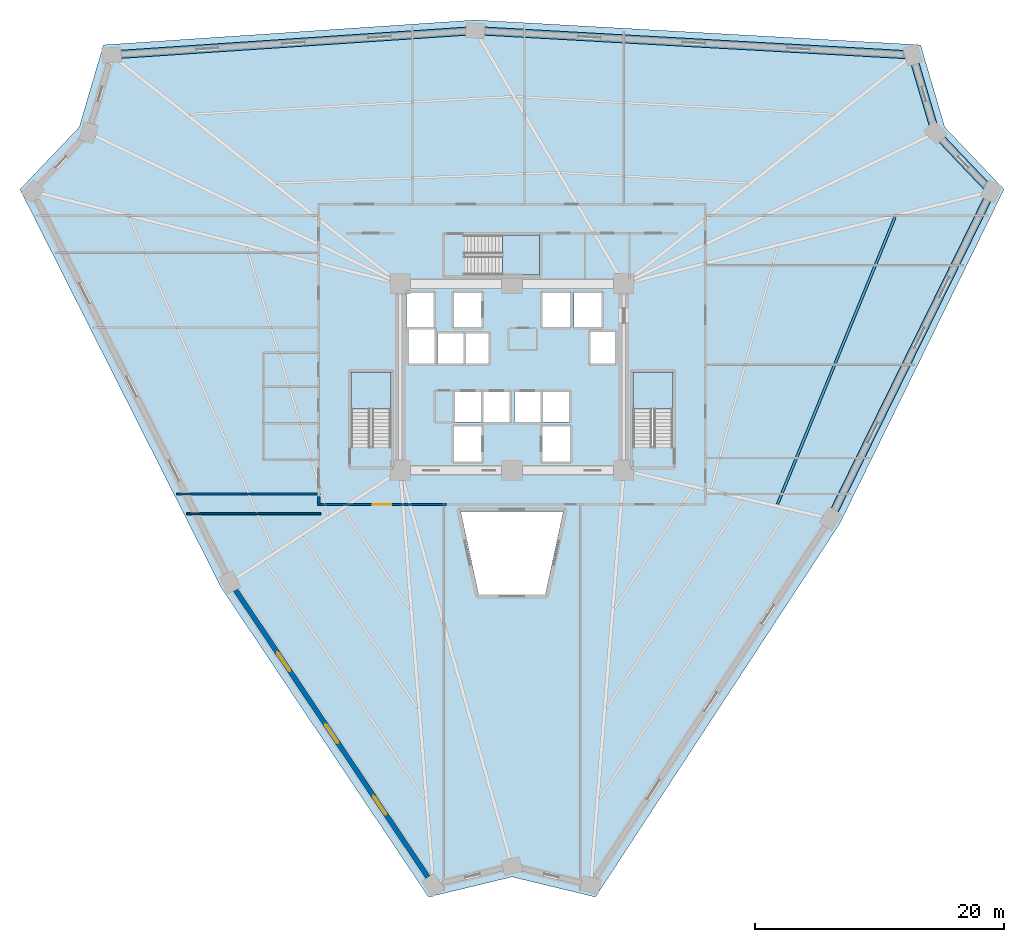
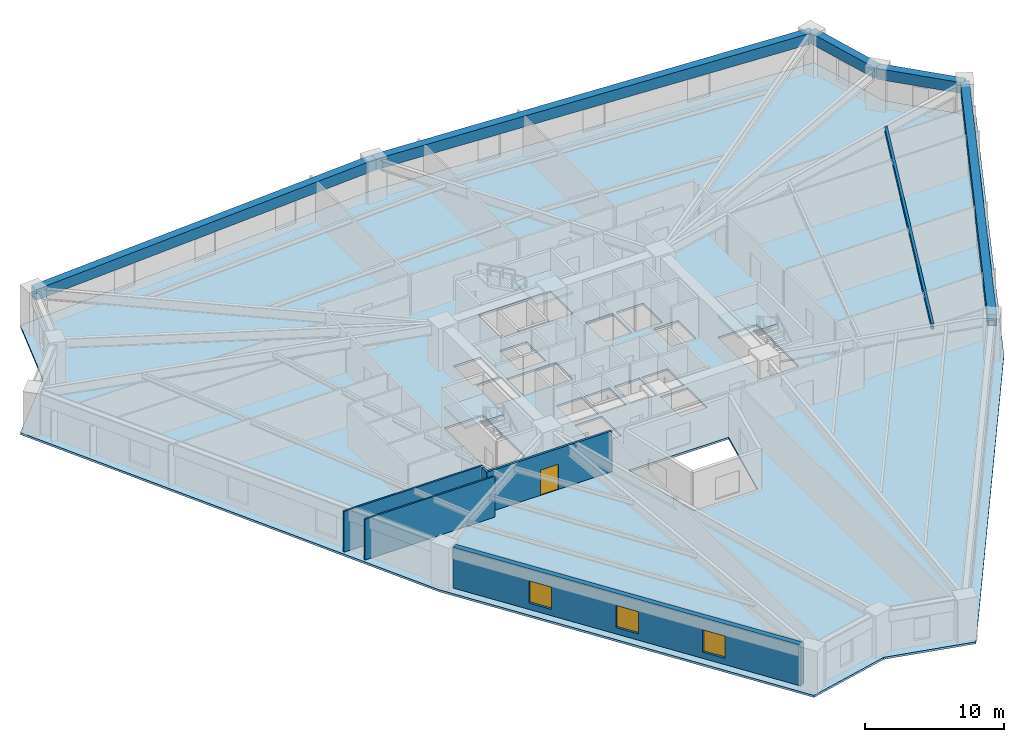
# One storey, part 2 of 9: 6 beams, 5 walls, 4 slabs, 3 windows, 1 door, 4 openings, 3 elements without a shape of their own.
"""IFC4 building model written with IfcOpenShell, lengths in metres."""

from ifc_helpers import new_model, si_unit, direction, frame, frame_2d, origin, origin_2d, place, context, subcontext, project, spatial, polyline, rectangle, i_section, outline, extrude, source, transform, mapped, material, layer, layer_set, material_profile, profile_set, type_object, element, fill, aggregate, save


model = new_model("IFC4")

# Units and contexts
model_context = context("Model", 3, precision=1e-05, world=origin(), true_north=direction((0.0, 1.0)))
body_context = subcontext(model_context, "Body", "Model", "MODEL_VIEW")
ifc_project = project(units=[si_unit("LENGTHUNIT", "METRE"), si_unit("AREAUNIT", "SQUARE_METRE"), si_unit("VOLUMEUNIT", "CUBIC_METRE"), si_unit("PLANEANGLEUNIT", "RADIAN"), si_unit("MASSUNIT", "GRAM", prefix="KILO")], contexts=[model_context])

# Site, building, storey
site_placement = place(None, origin())
site = spatial("IfcSite", under=ifc_project, at=site_placement, CompositionType="ELEMENT")
building_placement = place(site_placement, origin())
building = spatial("IfcBuilding", under=site, at=building_placement, Name="Liaohun Quay Tower", CompositionType="ELEMENT")
storey_placement = place(building_placement, frame((0.0, 0.0, 55.5)))
storey = spatial("IfcBuildingStorey", under=building, at=storey_placement, Name="L14", CompositionType="ELEMENT", Elevation=55.5)

# Beams
ifc_material_1 = material(Name="Steel Q355D", Category="steel")
ifc_material_profile_1 = material_profile(ifc_material_1, i_section(OverallWidth=0.199951171875, OverallDepth=0.449951171875, WebThickness=0.009033203125, FlangeThickness=0.013916015625, at=origin_2d()), Name="HN450x200x9x14")
ifc_profile_set_1 = profile_set([ifc_material_profile_1], Name="Steel Q355D")
beam_type_1 = type_object("IfcBeamType", Name="BM-SEC-J1", PredefinedType="JOIST", material=ifc_profile_set_1)
shared_shape_1 = source(origin(), body_context, "Body", "SweptSolid", [
    extrude(i_section(OverallWidth=0.199951171875, OverallDepth=0.449951171875, WebThickness=0.009033203125, FlangeThickness=0.013916015625, at=origin_2d()), origin(), (0.0, 0.0, 1.0), 24.935791015625),
])
beam_1_placement = place(storey_placement, frame((90.81298828125, 66.841064453125, 3.344970703125), z_axis=(-0.378932475666, -0.925424323695, 0.0), x_axis=(0.925424323695, -0.378932475666, 0.0)))
element("IfcBeam", 1, at=beam_1_placement, inside=storey, type_object=beam_type_1, Name="L14 Wing Secondary Floor Joist SJ-11", PredefinedType="JOIST", context=body_context, shape_type="MappedRepresentation", body=[
    mapped(shared_shape_1, transform((0.0, 0.0, 0.0), x_axis=(1.0, 0.0, 0.0), y_axis=(0.0, 1.0, 0.0), z_axis=(0.0, 0.0, 1.0), scale=1.0)),
])
ifc_material_2 = material(Name="Precast concrete C55", Category="concrete")
ifc_material_profile_2 = material_profile(ifc_material_2, rectangle(XDim=0.64990234375, YDim=0.949951171875, at=origin_2d()), Name="RC650x950")
ifc_profile_set_2 = profile_set([ifc_material_profile_2], Name="Precast concrete C55")
beam_type_2 = type_object("IfcBeamType", Name="BM-SPD-Z1", PredefinedType="SPANDREL", material=ifc_profile_set_2)
shared_shape_2 = source(origin(), body_context, "Body", "SweptSolid", [
    extrude(rectangle(XDim=0.64990234375, YDim=0.949951171875, at=origin_2d()), origin(), (0.0, 0.0, 1.0), 29.34423828125),
])
for number, where, z_axis, x_axis, name in (
    (2, (27.76708984375, 79.928955078125, 3.094970703125), (0.99776693469, 0.066791796205, 0.0), (-0.066791796205, 0.99776693469, 0.0), "L14 Precast Spandrel Beam PC05-PC06"),
    (3, (98.572021484375, 68.949951171875, 3.094970703125), (-0.44104627376, -0.897484364434, 0.0), (0.897484364434, -0.44104627376, 0.0), "L14 Precast Spandrel Beam PC09-PC10"),
):
    element("IfcBeam", number, at=place(storey_placement, frame(where, z_axis=z_axis, x_axis=x_axis)), inside=storey, type_object=beam_type_2, Name=name, PredefinedType="SPANDREL", context=body_context, shape_type="MappedRepresentation", body=[
        mapped(shared_shape_2, transform((0.0, 0.0, 0.0), x_axis=(1.0, 0.0, 0.0), y_axis=(0.0, 1.0, 0.0), z_axis=(0.0, 0.0, 1.0), scale=1.0)),
    ])
shared_shape_3 = source(origin(), body_context, "Body", "SweptSolid", [
    extrude(rectangle(XDim=0.64990234375, YDim=0.949951171875, at=origin_2d()), origin(), (0.0, 0.0, 1.0), 6.52099609375),
])
beam_2_placement = place(storey_placement, frame((94.076904296875, 73.674072265625, 3.094970703125), z_axis=(0.689329769443, -0.724447699257, 0.0), x_axis=(0.724447699257, 0.689329769443, 0.0)))
element("IfcBeam", 4, at=beam_2_placement, inside=storey, type_object=beam_type_2, Name="L14 Precast Spandrel Beam PC08-PC09", PredefinedType="SPANDREL", context=body_context, shape_type="MappedRepresentation", body=[
    mapped(shared_shape_3, transform((0.0, 0.0, 0.0), x_axis=(1.0, 0.0, 0.0), y_axis=(0.0, 1.0, 0.0), z_axis=(0.0, 0.0, 1.0), scale=1.0)),
])
shared_shape_4 = source(origin(), body_context, "Body", "SweptSolid", [
    extrude(rectangle(XDim=0.64990234375, YDim=0.949951171875, at=origin_2d()), origin(), (0.0, 0.0, 1.0), 35.244140625),
])
beam_3_placement = place(storey_placement, frame((57.0458984375, 81.888916015625, 3.094970703125), z_axis=(0.998443233179, -0.055777326212, 0.0), x_axis=(0.055777326212, 0.998443233179, 0.0)))
element("IfcBeam", 5, at=beam_3_placement, inside=storey, type_object=beam_type_2, Name="L14 Precast Spandrel Beam PC06-PC07", PredefinedType="SPANDREL", context=body_context, shape_type="MappedRepresentation", body=[
    mapped(shared_shape_4, transform((0.0, 0.0, 0.0), x_axis=(1.0, 0.0, 0.0), y_axis=(0.0, 1.0, 0.0), z_axis=(0.0, 0.0, 1.0), scale=1.0)),
])
shared_shape_5 = source(origin(), body_context, "Body", "SweptSolid", [
    extrude(rectangle(XDim=0.64990234375, YDim=0.949951171875, at=origin_2d()), origin(), (0.0, 0.0, 1.0), 6.514892578125),
])
beam_4_placement = place(storey_placement, frame((92.235107421875, 79.923095703125, 3.094970703125), z_axis=(0.282710021561, -0.959205423102, 0.0), x_axis=(0.959205423102, 0.282710021561, 0.0)))
element("IfcBeam", 6, at=beam_4_placement, inside=storey, type_object=beam_type_2, Name="L14 Precast Spandrel Beam PC07-PC08", PredefinedType="SPANDREL", context=body_context, shape_type="MappedRepresentation", body=[
    mapped(shared_shape_5, transform((0.0, 0.0, 0.0), x_axis=(1.0, 0.0, 0.0), y_axis=(0.0, 1.0, 0.0), z_axis=(0.0, 0.0, 1.0), scale=1.0)),
])

# Stair, slab
ifc_material_3 = material(Name="Concrete C45", Category="concrete")
stair_type = type_object("IfcStairType", Name="STR-CORE-OFF", PredefinedType="HALF_TURN_STAIR", material=ifc_material_3)
stair_1_placement = place(storey_placement, origin())
stair_1 = element("IfcStair", 7, at=stair_1_placement, inside=storey, type_object=stair_type, Name="L14 Smokeproof Core Exit Stair ST-1", PredefinedType="HALF_TURN_STAIR")
ifc_layer_1 = layer(ifc_material_3, 0.199951171875, Name="Concrete C45", Category="concrete")
ifc_layer_set_1 = layer_set([ifc_layer_1], Name="Concrete C45")
slab_type_1 = type_object("IfcSlabType", Name="SLB-LND-200", PredefinedType="LANDING", material=ifc_layer_set_1)
slab_1_placement = place(storey_placement, frame((0.0, 0.0, 1.675048828125)))
slab_1 = element("IfcSlab", 8, at=slab_1_placement, type_object=slab_type_1, Name="ST-1 landing 1", PredefinedType="LANDING", context=body_context, shape_type="SweptSolid", body=[
    extrude(outline(polyline([(50.280029296875, 51.429931640625), (50.280029296875, 54.419921875), (47.0400390625, 54.419921875), (47.0400390625, 51.429931640625), (50.280029296875, 51.429931640625)])), origin(), (0.0, 0.0, 1.0), 0.199951171875),
])
aggregate(stair_1, [slab_1])

stair_2_placement = place(storey_placement, origin())
stair_2 = element("IfcStair", 9, at=stair_2_placement, inside=storey, type_object=stair_type, Name="L14 Smokeproof Core Exit Stair ST-2", PredefinedType="HALF_TURN_STAIR")
slab_2_placement = place(storey_placement, frame((0.0, 0.0, 1.675048828125)))
slab_2 = element("IfcSlab", 10, at=slab_2_placement, type_object=slab_type_1, Name="ST-2 landing 1", PredefinedType="LANDING", context=body_context, shape_type="SweptSolid", body=[
    extrude(outline(polyline([(72.9599609375, 51.429931640625), (72.9599609375, 54.419921875), (69.719970703125, 54.419921875), (69.719970703125, 51.429931640625), (72.9599609375, 51.429931640625)])), origin(), (0.0, 0.0, 1.0), 0.199951171875),
])
aggregate(stair_2, [slab_2])

stair_3_placement = place(storey_placement, origin())
stair_3 = element("IfcStair", 11, at=stair_3_placement, inside=storey, type_object=stair_type, Name="L14 Smokeproof Core Exit Stair ST-3", PredefinedType="HALF_TURN_STAIR")
slab_3_placement = place(storey_placement, frame((0.0, 0.0, 1.675048828125)))
slab_3 = element("IfcSlab", 12, at=slab_3_placement, type_object=slab_type_1, Name="ST-3 landing 1", PredefinedType="LANDING", context=body_context, shape_type="SweptSolid", body=[
    extrude(outline(polyline([(59.22998046875, 62.199951171875), (62.219970703125, 62.199951171875), (62.219970703125, 65.43994140625), (59.22998046875, 65.43994140625), (59.22998046875, 62.199951171875)])), origin(), (0.0, 0.0, 1.0), 0.199951171875),
])
aggregate(stair_3, [slab_3])

# Slab
ifc_layer_2 = layer(ifc_material_3, 0.179931640625, Name="Concrete C45", Category="concrete")
ifc_layer_set_2 = layer_set([ifc_layer_2], Name="Concrete C45")
slab_type_2 = type_object("IfcSlabType", Name="SLB-OFF-180", PredefinedType="FLOOR", material=ifc_layer_set_2)
slab_4_placement = place(storey_placement, frame((0.0, 0.0, -0.179931640625)))
element("IfcSlab", 13, at=slab_4_placement, inside=storey, type_object=slab_type_2, Name="L14 Structural Floor Slab", PredefinedType="FLOOR", context=body_context, shape_type="SweptSolid", body=[
    extrude(outline(polyline([(53.284912109375, 12.156005859375), (60.0, 13.778076171875), (66.715087890625, 12.156005859375), (86.3701171875, 42.19189453125), (99.595947265625, 69.10693359375), (94.833984375, 74.111083984375), (92.881103515625, 80.738037109375), (57.041015625, 82.740966796875), (27.118896484375, 80.738037109375), (25.166015625, 74.111083984375), (20.404052734375, 69.10693359375), (36.589111328125, 37.06689453125), (53.284912109375, 12.156005859375)]), holes=[polyline([(57.56005859375, 47.2099609375), (57.56005859375, 50.030029296875), (55.340087890625, 50.030029296875), (55.340087890625, 47.2099609375), (57.56005859375, 47.2099609375)]), polyline([(50.280029296875, 54.419921875), (47.0400390625, 54.419921875), (47.0400390625, 48.409912109375), (50.280029296875, 48.409912109375), (50.280029296875, 54.419921875)]), polyline([(57.510009765625, 50.389892578125), (57.510009765625, 52.81005859375), (55.389892578125, 52.81005859375), (55.389892578125, 50.389892578125), (57.510009765625, 50.389892578125)]), polyline([(59.81005859375, 50.389892578125), (59.81005859375, 52.81005859375), (57.68994140625, 52.81005859375), (57.68994140625, 50.389892578125), (59.81005859375, 50.389892578125)]), polyline([(58.110107421875, 57.510009765625), (53.989990234375, 57.510009765625), (53.989990234375, 55.090087890625), (58.110107421875, 55.090087890625), (58.110107421875, 57.510009765625)]), polyline([(53.760009765625, 55.090087890625), (53.760009765625, 57.909912109375), (51.7099609375, 57.909912109375), (51.7099609375, 55.090087890625), (53.760009765625, 55.090087890625)]), polyline([(51.489990234375, 58.0400390625), (53.7099609375, 58.0400390625), (53.7099609375, 60.7900390625), (51.489990234375, 60.7900390625), (51.489990234375, 58.0400390625)]), polyline([(55.340087890625, 58.0400390625), (57.56005859375, 58.0400390625), (57.56005859375, 60.7900390625), (55.340087890625, 60.7900390625), (55.340087890625, 58.0400390625)]), polyline([(62.68408203125, 36.51611328125), (64.12890625, 43.199951171875), (55.87109375, 43.199951171875), (57.31591796875, 36.51611328125), (62.68408203125, 36.51611328125)]), polyline([(64.659912109375, 47.2099609375), (64.659912109375, 50.030029296875), (62.43994140625, 50.030029296875), (62.43994140625, 47.2099609375), (64.659912109375, 47.2099609375)]), polyline([(72.9599609375, 54.419921875), (69.719970703125, 54.419921875), (69.719970703125, 48.409912109375), (72.9599609375, 48.409912109375), (72.9599609375, 54.419921875)]), polyline([(62.31005859375, 50.389892578125), (62.31005859375, 52.81005859375), (60.18994140625, 52.81005859375), (60.18994140625, 50.389892578125), (62.31005859375, 50.389892578125)]), polyline([(64.610107421875, 50.389892578125), (64.610107421875, 52.81005859375), (62.489990234375, 52.81005859375), (62.489990234375, 50.389892578125), (64.610107421875, 50.389892578125)]), polyline([(68.2900390625, 55.090087890625), (68.2900390625, 57.659912109375), (66.2900390625, 57.659912109375), (66.2900390625, 55.090087890625), (68.2900390625, 55.090087890625)]), polyline([(64.659912109375, 58.0400390625), (64.659912109375, 60.7900390625), (62.43994140625, 60.7900390625), (62.43994140625, 58.0400390625), (64.659912109375, 58.0400390625)]), polyline([(64.989990234375, 58.0400390625), (67.2099609375, 58.0400390625), (67.2099609375, 60.7900390625), (64.989990234375, 60.7900390625), (64.989990234375, 58.0400390625)]), polyline([(56.2099609375, 62.199951171875), (62.219970703125, 62.199951171875), (62.219970703125, 65.43994140625), (56.2099609375, 65.43994140625), (56.2099609375, 62.199951171875)])]), origin(), (0.0, 0.0, 1.0), 0.179931640625),
])

# Wall, openings, windows
ifc_material_4 = material(Name="Precast concrete C50 insulated sandwich", Category="concrete")
ifc_layer_3 = layer(ifc_material_4, 0.419921875, Name="Precast concrete C50 insulated sandwich", Category="concrete")
ifc_layer_set_3 = layer_set([ifc_layer_3], Name="Precast concrete C50 insulated sandwich")
wall_type_1 = type_object("IfcWallType", Name="WAL-EXT-Z12", PredefinedType="SOLIDWALL", material=ifc_layer_set_3)
wall_1_placement = place(storey_placement, frame((37.75, 36.862060546875, 0.0), z_axis=(0.0, 0.0, 1.0), x_axis=(0.556718017368, -0.830701540349, 0.0)))
wall_1 = element("IfcWall", 14, at=wall_1_placement, inside=storey, type_object=wall_type_1, Name="L14 Brutalist Precast Pier Wall 11", PredefinedType="SOLIDWALL", context=body_context, shape_type="SweptSolid", body=[
    extrude(rectangle(XDim=27.81494140625, YDim=0.419921875, at=frame_2d((13.907470703125, 0.0))), origin(), (0.0, 0.0, 1.0), 3.570068359375),
])
shared_shape_6 = source(origin(), body_context, "Body", "SweptSolid", [
    extrude(rectangle(XDim=1.800048828125, YDim=1.949951171875, at=frame_2d((0.89990234375, 0.97509765625))), frame((0.0, 0.219970703125, 0.0), z_axis=(0.0, -1.0, 0.0), x_axis=(1.0, 0.0, 0.0)), (0.0, 0.0, 1.0), 0.43994140625),
])
opening_1_placement = place(wall_1_placement, frame((6.053955078125, 0.0, 0.550048828125)))
opening_1 = element("IfcOpeningElement", 15, at=opening_1_placement, cuts=wall_1, Name="Opening W01", PredefinedType="OPENING", context=body_context, shape_type="MappedRepresentation", body=[
    mapped(shared_shape_6, transform((0.0, 0.0, 0.0), x_axis=(1.0, 0.0, 0.0), y_axis=(0.0, 1.0, 0.0), z_axis=(0.0, 0.0, 1.0), scale=1.0)),
])
opening_2_placement = place(wall_1_placement, frame((13.007080078125, 0.0, 0.550048828125)))
opening_2 = element("IfcOpeningElement", 16, at=opening_2_placement, cuts=wall_1, Name="Opening W01", PredefinedType="OPENING", context=body_context, shape_type="MappedRepresentation", body=[
    mapped(shared_shape_6, transform((0.0, 0.0, 0.0), x_axis=(1.0, 0.0, 0.0), y_axis=(0.0, 1.0, 0.0), z_axis=(0.0, 0.0, 1.0), scale=1.0)),
])
opening_3_placement = place(wall_1_placement, frame((19.9609375, 0.0, 0.550048828125)))
opening_3 = element("IfcOpeningElement", 17, at=opening_3_placement, cuts=wall_1, Name="Opening W01", PredefinedType="OPENING", context=body_context, shape_type="MappedRepresentation", body=[
    mapped(shared_shape_6, transform((0.0, 0.0, 0.0), x_axis=(1.0, 0.0, 0.0), y_axis=(0.0, 1.0, 0.0), z_axis=(0.0, 0.0, 1.0), scale=1.0)),
])
ifc_material_5 = material(Name="Triple Low-E argon glazing in thermally broken aluminium", Category="aluminium")
window_type = type_object("IfcWindowType", Name="WIN-PUN-Z1", PartitioningType="DOUBLE_PANEL_VERTICAL", PredefinedType="WINDOW", material=ifc_material_5)
shared_shape_7 = source(origin(), body_context, "Body", "SweptSolid", [
    extrude(rectangle(XDim=1.800048828125, YDim=1.949951171875, at=frame_2d((0.89990234375, 0.97509765625))), frame((0.0, 0.030029296875, 0.0), z_axis=(0.0, -1.0, 0.0), x_axis=(1.0, 0.0, 0.0)), (0.0, 0.0, 1.0), 0.06005859375),
])
window_1_placement = place(opening_1_placement, origin())
window_1 = element("IfcWindow", 18, at=window_1_placement, inside=storey, type_object=window_type, Name="L14 Recessed Cold-Climate Punched Window 11-1", OverallHeight=1.949951171875, OverallWidth=1.800048828125, PartitioningType="DOUBLE_PANEL_VERTICAL", PredefinedType="WINDOW", context=body_context, shape_type="MappedRepresentation", body=[
    mapped(shared_shape_7, transform((0.0, 0.0, 0.0), x_axis=(1.0, 0.0, 0.0), y_axis=(0.0, 1.0, 0.0), z_axis=(0.0, 0.0, 1.0), scale=1.0)),
])
fill(opening_1, window_1)
window_2_placement = place(opening_2_placement, origin())
window_2 = element("IfcWindow", 19, at=window_2_placement, inside=storey, type_object=window_type, Name="L14 Recessed Cold-Climate Punched Window 11-2", OverallHeight=1.949951171875, OverallWidth=1.800048828125, PartitioningType="DOUBLE_PANEL_VERTICAL", PredefinedType="WINDOW", context=body_context, shape_type="MappedRepresentation", body=[
    mapped(shared_shape_7, transform((0.0, 0.0, 0.0), x_axis=(1.0, 0.0, 0.0), y_axis=(0.0, 1.0, 0.0), z_axis=(0.0, 0.0, 1.0), scale=1.0)),
])
fill(opening_2, window_2)
window_3_placement = place(opening_3_placement, origin())
window_3 = element("IfcWindow", 20, at=window_3_placement, inside=storey, type_object=window_type, Name="L14 Recessed Cold-Climate Punched Window 11-3", OverallHeight=1.949951171875, OverallWidth=1.800048828125, PartitioningType="DOUBLE_PANEL_VERTICAL", PredefinedType="WINDOW", context=body_context, shape_type="MappedRepresentation", body=[
    mapped(shared_shape_7, transform((0.0, 0.0, 0.0), x_axis=(1.0, 0.0, 0.0), y_axis=(0.0, 1.0, 0.0), z_axis=(0.0, 0.0, 1.0), scale=1.0)),
])
fill(opening_3, window_3)

# Wall, opening, door
ifc_material_6 = material(Name="Autoclaved aerated concrete blockwork", Category="masonry")
ifc_layer_4 = layer(ifc_material_6, 0.179931640625, Name="Autoclaved aerated concrete blockwork", Category="masonry")
ifc_layer_set_4 = layer_set([ifc_layer_4], Name="Autoclaved aerated concrete blockwork")
wall_type_2 = type_object("IfcWallType", Name="WAL-PRT-COR", PredefinedType="PARTITIONING", material=ifc_layer_set_4)
wall_2_placement = place(storey_placement, frame((54.715087890625, 43.739990234375, 0.0), z_axis=(0.0, 0.0, 1.0), x_axis=(-1.0, 0.0, 0.0)))
wall_2 = element("IfcWall", 21, at=wall_2_placement, inside=storey, type_object=wall_type_2, Name="L14 Interior Partition Wall 019", PredefinedType="PARTITIONING", context=body_context, shape_type="SweptSolid", body=[
    extrude(rectangle(XDim=10.344970703125, YDim=0.179931640625, at=frame_2d((5.17236328125, 0.0))), origin(), (0.0, 0.0, 1.0), 3.570068359375),
])
shared_shape_8 = source(origin(), body_context, "Body", "SweptSolid", [
    extrude(rectangle(XDim=1.5, YDim=2.199951171875, at=frame_2d((0.75, 1.10009765625))), frame((0.0, 0.099853515625, 0.0), z_axis=(0.0, -1.0, 0.0), x_axis=(1.0, 0.0, 0.0)), (0.0, 0.0, 1.0), 0.199951171875),
])
opening_4_placement = place(wall_2_placement, frame((4.423095703125, 0.0, 0.0)))
opening_4 = element("IfcOpeningElement", 22, at=opening_4_placement, cuts=wall_2, Name="Opening OD2", PredefinedType="OPENING", context=body_context, shape_type="MappedRepresentation", body=[
    mapped(shared_shape_8, transform((0.0, 0.0, 0.0), x_axis=(1.0, 0.0, 0.0), y_axis=(0.0, 1.0, 0.0), z_axis=(0.0, 0.0, 1.0), scale=1.0)),
])
ifc_material_7 = material(Name="Acoustic oak veneer double door")
door_type = type_object("IfcDoorType", Name="DOR-OFF-1500", OperationType="DOUBLE_DOOR_SINGLE_SWING", PredefinedType="DOOR", material=ifc_material_7)
shared_shape_9 = source(origin(), body_context, "Body", "SweptSolid", [
    extrude(rectangle(XDim=1.5, YDim=2.199951171875, at=frame_2d((0.75, 1.10009765625))), frame((0.0, 0.02490234375, 0.0), z_axis=(0.0, -1.0, 0.0), x_axis=(1.0, 0.0, 0.0)), (0.0, 0.0, 1.0), 0.050048828125),
])
door_placement = place(opening_4_placement, origin())
door = element("IfcDoor", 23, at=door_placement, inside=storey, type_object=door_type, Name="L14 Open-Plan Office Workplace 10 Door", OperationType="DOUBLE_DOOR_SINGLE_SWING", OverallHeight=2.199951171875, OverallWidth=1.5, PredefinedType="DOOR", context=body_context, shape_type="MappedRepresentation", body=[
    mapped(shared_shape_9, transform((0.0, 0.0, 0.0), x_axis=(1.0, 0.0, 0.0), y_axis=(0.0, 1.0, 0.0), z_axis=(0.0, 0.0, 1.0), scale=1.0)),
])
fill(opening_4, door)

# Walls
wall_3_placement = place(storey_placement, frame((44.43994140625, 43.669921875, 0.0), z_axis=(0.0, 0.0, 1.0), x_axis=(0.0, 1.0, 0.0)))
element("IfcWall", 24, at=wall_3_placement, inside=storey, type_object=wall_type_2, Name="L14 Interior Partition Wall 039", PredefinedType="PARTITIONING", context=body_context, shape_type="SweptSolid", body=[
    extrude(rectangle(XDim=0.715087890625, YDim=0.179931640625, at=frame_2d((0.357421875, 0.0))), origin(), (0.0, 0.0, 1.0), 3.570068359375),
])
ifc_material_8 = material(Name="Gypsum board on twin steel studs", Category="steel")
ifc_layer_5 = layer(ifc_material_8, 0.139892578125, Name="Gypsum board on twin steel studs", Category="steel")
ifc_layer_set_5 = layer_set([ifc_layer_5], Name="Gypsum board on twin steel studs")
wall_type_3 = type_object("IfcWallType", Name="WAL-PRT-OFF", PredefinedType="PARTITIONING", material=ifc_layer_set_5)
wall_4_placement = place(storey_placement, frame((44.60009765625, 43.0, 0.0), z_axis=(0.0, 0.0, 1.0), x_axis=(-1.0, 0.0, 0.0)))
element("IfcWall", 25, at=wall_4_placement, inside=storey, type_object=wall_type_3, Name="L14 Interior Partition Wall 041", PredefinedType="PARTITIONING", context=body_context, shape_type="SweptSolid", body=[
    extrude(rectangle(XDim=10.76220703125, YDim=0.139892578125, at=frame_2d((5.381103515625, 0.0))), origin(), (0.0, 0.0, 1.0), 3.570068359375),
])
wall_5_placement = place(storey_placement, frame((44.5400390625, 44.60009765625, 0.0), z_axis=(0.0, 0.0, 1.0), x_axis=(-1.0, 0.0, 0.0)))
element("IfcWall", 26, at=wall_5_placement, inside=storey, type_object=wall_type_3, Name="L14 Interior Partition Wall 042", PredefinedType="PARTITIONING", context=body_context, shape_type="SweptSolid", body=[
    extrude(rectangle(XDim=11.510009765625, YDim=0.139892578125, at=frame_2d((5.7548828125, 0.0))), origin(), (0.0, 0.0, 1.0), 3.570068359375),
])

save(model, "model.ifc")
